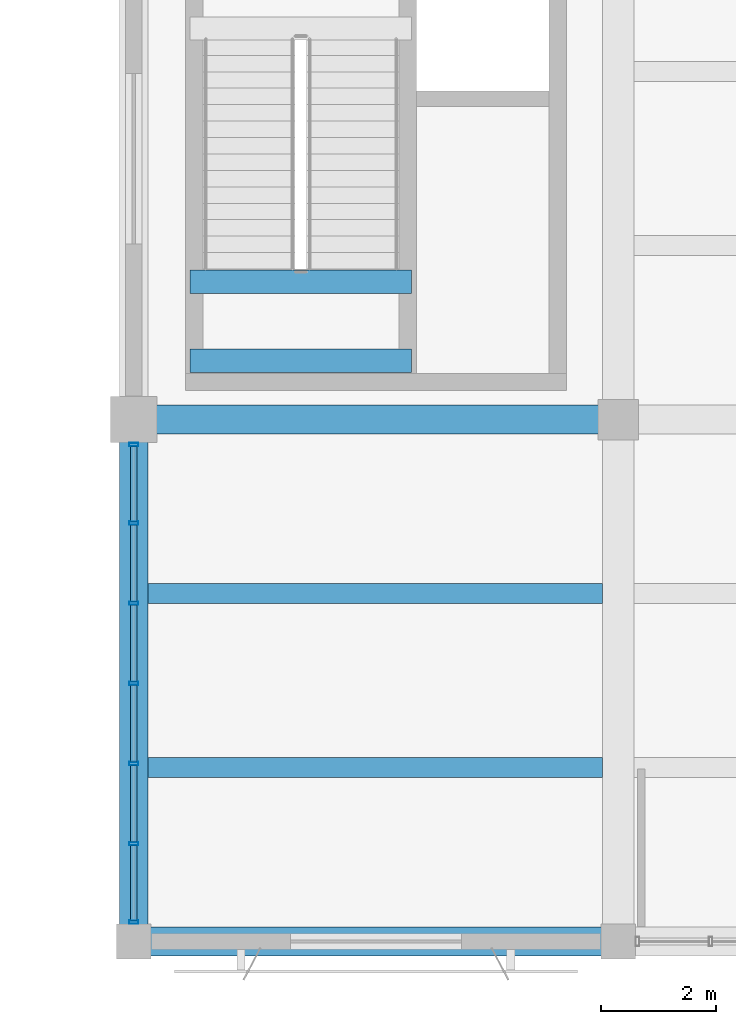
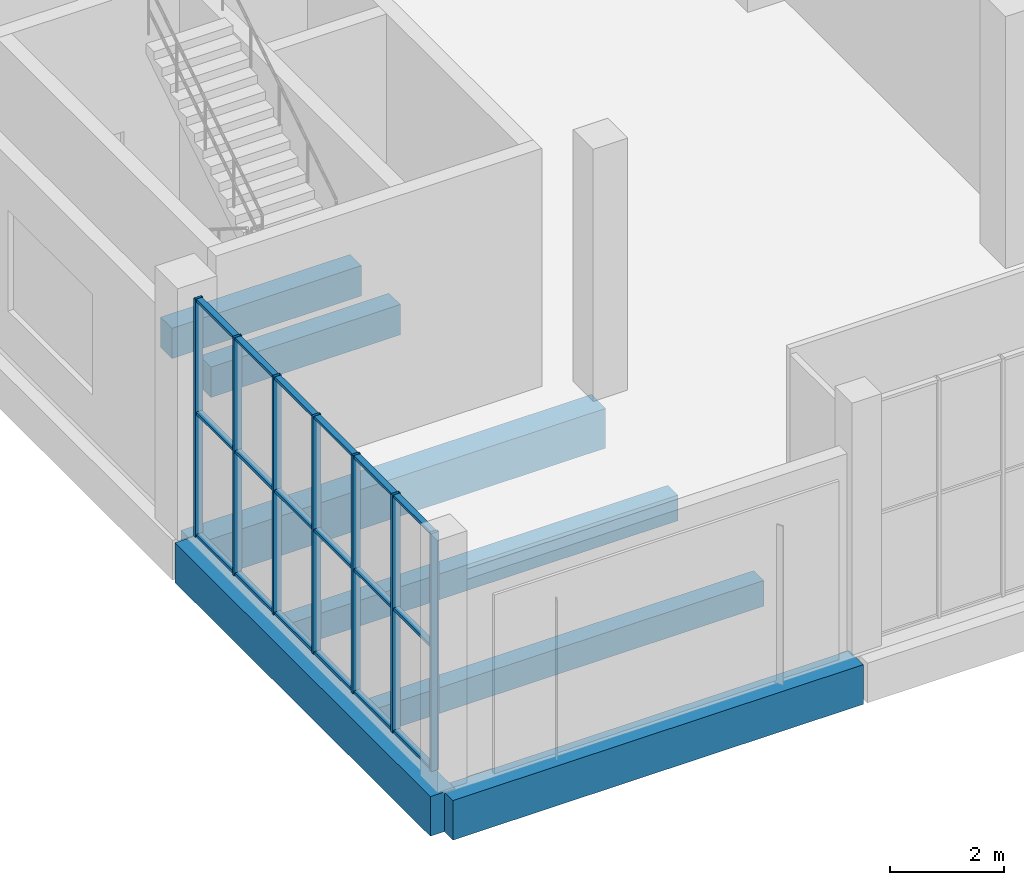
# One storey, part 2 of 132: 25 members, 7 beams, 1 element without a shape of its own.
"""IFC4 building model written with IfcOpenShell, lengths in metres."""

from ifc_helpers import new_model, si_unit, direction, frame, origin, origin_2d, place, context, subcontext, project, spatial, rectangle, hollow_rectangle, extrude, material, material_profile, profile_set, type_object, element, aggregate, save


model = new_model("IFC4")

# Units and contexts
model_context = context("Model", 3, precision=1e-05, world=origin(), true_north=direction((0.0, 1.0)))
body_context = subcontext(model_context, "Body", "Model", "MODEL_VIEW")
ifc_project = project(units=[si_unit("LENGTHUNIT", "METRE"), si_unit("AREAUNIT", "SQUARE_METRE"), si_unit("VOLUMEUNIT", "CUBIC_METRE"), si_unit("PLANEANGLEUNIT", "RADIAN"), si_unit("MASSUNIT", "GRAM", prefix="KILO")], contexts=[model_context])

# Site, building, storey
site_placement = place(None, origin())
site = spatial("IfcSite", under=ifc_project, at=site_placement, CompositionType="ELEMENT")
building_placement = place(site_placement, origin())
building = spatial("IfcBuilding", under=site, at=building_placement, Name="Khurvash Pelagic Aquarium", CompositionType="ELEMENT")
storey_placement = place(building_placement, frame((0.0, 0.0, 5.39990234375)))
storey = spatial("IfcBuildingStorey", under=building, at=storey_placement, Name="L01", CompositionType="ELEMENT", Elevation=5.39990234375)

# Beams
ifc_material_1 = material(Name="Concrete C40/50", Category="concrete")
ifc_material_profile_1 = material_profile(ifc_material_1, rectangle(XDim=0.5, YDim=0.85009765625, at=origin_2d()), Name="RC500X850")
ifc_profile_set_1 = profile_set([ifc_material_profile_1], Name="Concrete C40/50")
beam_type_1 = type_object("IfcBeamType", Name="BM-03", PredefinedType="BEAM", material=ifc_profile_set_1)
beam_1_placement = place(storey_placement, frame((25.239990234375, 11.64990234375, -0.744873046875), z_axis=(1.0, 0.0, 0.0), x_axis=(0.0, 1.0, 0.0)))
element("IfcBeam", 1, at=beam_1_placement, inside=storey, type_object=beam_type_1, Name="L01 Primary Girder BM-03 00251", PredefinedType="BEAM", context=body_context, shape_type="SweptSolid", body=[
    extrude(rectangle(XDim=0.5, YDim=0.85009765625, at=origin_2d()), origin(), (0.0, 0.0, 1.0), 8.320068359375),
])
ifc_material_2 = material(Name="Concrete C35/45", Category="concrete")
ifc_material_profile_2 = material_profile(ifc_material_2, rectangle(XDim=0.39990234375, YDim=0.64990234375, at=origin_2d()), Name="RC400X650")
ifc_profile_set_2 = profile_set([ifc_material_profile_2], Name="Concrete C35/45")
beam_type_2 = type_object("IfcBeamType", Name="BM-05", PredefinedType="BEAM", material=ifc_profile_set_2)
for number, where, z_axis, x_axis, name in (
    (2, (26.179931640625, 12.669921875, 2.175048828125), (1.0, 0.0, 0.0), (0.0, 1.0, 0.0), "L01 Stair ST-01 Mid-Landing Trimmer Beam BM-05"),
    (3, (26.179931640625, 14.0400390625, 2.175048828125), (1.0, 0.0, 0.0), (0.0, 1.0, 0.0), "L01 Stair ST-01 Mid-Landing Trimmer Beam BM-05"),
):
    element("IfcBeam", number, at=place(storey_placement, frame(where, z_axis=z_axis, x_axis=x_axis)), inside=storey, type_object=beam_type_2, Name=name, PredefinedType="BEAM", context=body_context, shape_type="SweptSolid", body=[
        extrude(rectangle(XDim=0.39990234375, YDim=0.64990234375, at=origin_2d()), origin(), (0.0, 0.0, 1.0), 3.840087890625),
    ])

# Curtain wall, members
ifc_material_3 = material(Name="Anodised aluminium and low-E laminated glass", Category="aluminium")
curtain_wall_type = type_object("IfcCurtainWallType", Name="CW-06", PredefinedType="USERDEFINED", material=ifc_material_3)
curtain_wall_placement = place(storey_placement, origin())
curtain_wall = element("IfcCurtainWall", 4, at=curtain_wall_placement, inside=storey, type_object=curtain_wall_type, Name="L01 Facade Unitised Curtain Wall CW-06 0101", ObjectType="UNITISED CURTAIN WALL", PredefinedType="USERDEFINED")
ifc_material_4 = material(Name="Extruded aluminium AW-6063-T6", Category="aluminium")
ifc_material_profile_3 = material_profile(ifc_material_4, hollow_rectangle(XDim=0.06005859375, YDim=0.159912109375, WallThickness=0.00390625, at=origin_2d()), Name="CWM60X160X4")
ifc_profile_set_3 = profile_set([ifc_material_profile_3], Name="Extruded aluminium AW-6063-T6")
member_type_1 = type_object("IfcMemberType", Name="CM-02", PredefinedType="MULLION", material=ifc_profile_set_3)
member_1_placement = place(storey_placement, frame((25.199951171875, 11.215087890625, 0.0), z_axis=(0.0, 0.0, 1.0), x_axis=(0.0, -1.0, 0.0)))
member_1 = element("IfcMember", 5, at=member_1_placement, type_object=member_type_1, Name="CW-06 mullion 1", PredefinedType="MULLION", context=body_context, shape_type="SweptSolid", body=[
    extrude(hollow_rectangle(XDim=0.06005859375, YDim=0.159912109375, WallThickness=0.00390625, at=origin_2d()), origin(), (0.0, 0.0, 1.0), 5.10009765625),
])
member_2_placement = place(storey_placement, frame((25.199951171875, 9.85498046875, 0.0), z_axis=(0.0, 0.0, 1.0), x_axis=(0.0, -1.0, 0.0)))
member_2 = element("IfcMember", 6, at=member_2_placement, type_object=member_type_1, Name="CW-06 mullion 2", PredefinedType="MULLION", context=body_context, shape_type="SweptSolid", body=[
    extrude(hollow_rectangle(XDim=0.06005859375, YDim=0.159912109375, WallThickness=0.00390625, at=origin_2d()), origin(), (0.0, 0.0, 1.0), 5.10009765625),
])
member_3_placement = place(storey_placement, frame((25.199951171875, 8.465087890625, 0.0), z_axis=(0.0, 0.0, 1.0), x_axis=(0.0, -1.0, 0.0)))
member_3 = element("IfcMember", 7, at=member_3_placement, type_object=member_type_1, Name="CW-06 mullion 3", PredefinedType="MULLION", context=body_context, shape_type="SweptSolid", body=[
    extrude(hollow_rectangle(XDim=0.06005859375, YDim=0.159912109375, WallThickness=0.00390625, at=origin_2d()), origin(), (0.0, 0.0, 1.0), 5.10009765625),
])
member_4_placement = place(storey_placement, frame((25.199951171875, 7.074951171875, 0.0), z_axis=(0.0, 0.0, 1.0), x_axis=(0.0, -1.0, 0.0)))
member_4 = element("IfcMember", 8, at=member_4_placement, type_object=member_type_1, Name="CW-06 mullion 4", PredefinedType="MULLION", context=body_context, shape_type="SweptSolid", body=[
    extrude(hollow_rectangle(XDim=0.06005859375, YDim=0.159912109375, WallThickness=0.00390625, at=origin_2d()), origin(), (0.0, 0.0, 1.0), 5.10009765625),
])
member_5_placement = place(storey_placement, frame((25.199951171875, 5.68505859375, 0.0), z_axis=(0.0, 0.0, 1.0), x_axis=(0.0, -1.0, 0.0)))
member_5 = element("IfcMember", 9, at=member_5_placement, type_object=member_type_1, Name="CW-06 mullion 5", PredefinedType="MULLION", context=body_context, shape_type="SweptSolid", body=[
    extrude(hollow_rectangle(XDim=0.06005859375, YDim=0.159912109375, WallThickness=0.00390625, at=origin_2d()), origin(), (0.0, 0.0, 1.0), 5.10009765625),
])
member_6_placement = place(storey_placement, frame((25.199951171875, 4.294921875, 0.0), z_axis=(0.0, 0.0, 1.0), x_axis=(0.0, -1.0, 0.0)))
member_6 = element("IfcMember", 10, at=member_6_placement, type_object=member_type_1, Name="CW-06 mullion 6", PredefinedType="MULLION", context=body_context, shape_type="SweptSolid", body=[
    extrude(hollow_rectangle(XDim=0.06005859375, YDim=0.159912109375, WallThickness=0.00390625, at=origin_2d()), origin(), (0.0, 0.0, 1.0), 5.10009765625),
])
member_7_placement = place(storey_placement, frame((25.199951171875, 2.93505859375, 0.0), z_axis=(0.0, 0.0, 1.0), x_axis=(0.0, -1.0, 0.0)))
member_7 = element("IfcMember", 11, at=member_7_placement, type_object=member_type_1, Name="CW-06 mullion 7", PredefinedType="MULLION", context=body_context, shape_type="SweptSolid", body=[
    extrude(hollow_rectangle(XDim=0.06005859375, YDim=0.159912109375, WallThickness=0.00390625, at=origin_2d()), origin(), (0.0, 0.0, 1.0), 5.10009765625),
])
ifc_material_profile_4 = material_profile(ifc_material_4, hollow_rectangle(XDim=0.1201171875, YDim=0.06005859375, WallThickness=0.00390625, at=origin_2d()), Name="CWT120X60X4")
ifc_profile_set_4 = profile_set([ifc_material_profile_4], Name="Extruded aluminium AW-6063-T6")
member_type_2 = type_object("IfcMemberType", Name="CT-02", PredefinedType="USERDEFINED", material=ifc_profile_set_4)
member_8_placement = place(storey_placement, frame((25.199951171875, 11.18505859375, 0.030029296875), z_axis=(0.0, -1.0, 0.0), x_axis=(1.0, 0.0, 0.0)))
member_8 = element("IfcMember", 12, at=member_8_placement, type_object=member_type_2, Name="CW-06 transom 1.1", ObjectType="TRANSOM", PredefinedType="USERDEFINED", context=body_context, shape_type="SweptSolid", body=[
    extrude(hollow_rectangle(XDim=0.1201171875, YDim=0.06005859375, WallThickness=0.00390625, at=origin_2d()), origin(), (0.0, 0.0, 1.0), 1.300048828125),
])
member_9_placement = place(storey_placement, frame((25.199951171875, 11.18505859375, 2.652099609375), z_axis=(0.0, -1.0, 0.0), x_axis=(1.0, 0.0, 0.0)))
member_9 = element("IfcMember", 13, at=member_9_placement, type_object=member_type_2, Name="CW-06 transom 1.2", ObjectType="TRANSOM", PredefinedType="USERDEFINED", context=body_context, shape_type="SweptSolid", body=[
    extrude(hollow_rectangle(XDim=0.1201171875, YDim=0.06005859375, WallThickness=0.00390625, at=origin_2d()), origin(), (0.0, 0.0, 1.0), 1.300048828125),
])
member_10_placement = place(storey_placement, frame((25.199951171875, 11.18505859375, 5.070068359375), z_axis=(0.0, -1.0, 0.0), x_axis=(1.0, 0.0, 0.0)))
member_10 = element("IfcMember", 14, at=member_10_placement, type_object=member_type_2, Name="CW-06 transom 1.3", ObjectType="TRANSOM", PredefinedType="USERDEFINED", context=body_context, shape_type="SweptSolid", body=[
    extrude(hollow_rectangle(XDim=0.1201171875, YDim=0.06005859375, WallThickness=0.00390625, at=origin_2d()), origin(), (0.0, 0.0, 1.0), 1.300048828125),
])
member_11_placement = place(storey_placement, frame((25.199951171875, 9.824951171875, 0.030029296875), z_axis=(0.0, -1.0, 0.0), x_axis=(1.0, 0.0, 0.0)))
member_11 = element("IfcMember", 15, at=member_11_placement, type_object=member_type_2, Name="CW-06 transom 2.1", ObjectType="TRANSOM", PredefinedType="USERDEFINED", context=body_context, shape_type="SweptSolid", body=[
    extrude(hollow_rectangle(XDim=0.1201171875, YDim=0.06005859375, WallThickness=0.00390625, at=origin_2d()), origin(), (0.0, 0.0, 1.0), 1.329833984375),
])
member_12_placement = place(storey_placement, frame((25.199951171875, 9.824951171875, 2.652099609375), z_axis=(0.0, -1.0, 0.0), x_axis=(1.0, 0.0, 0.0)))
member_12 = element("IfcMember", 16, at=member_12_placement, type_object=member_type_2, Name="CW-06 transom 2.2", ObjectType="TRANSOM", PredefinedType="USERDEFINED", context=body_context, shape_type="SweptSolid", body=[
    extrude(hollow_rectangle(XDim=0.1201171875, YDim=0.06005859375, WallThickness=0.00390625, at=origin_2d()), origin(), (0.0, 0.0, 1.0), 1.329833984375),
])
member_13_placement = place(storey_placement, frame((25.199951171875, 9.824951171875, 5.070068359375), z_axis=(0.0, -1.0, 0.0), x_axis=(1.0, 0.0, 0.0)))
member_13 = element("IfcMember", 17, at=member_13_placement, type_object=member_type_2, Name="CW-06 transom 2.3", ObjectType="TRANSOM", PredefinedType="USERDEFINED", context=body_context, shape_type="SweptSolid", body=[
    extrude(hollow_rectangle(XDim=0.1201171875, YDim=0.06005859375, WallThickness=0.00390625, at=origin_2d()), origin(), (0.0, 0.0, 1.0), 1.329833984375),
])
member_14_placement = place(storey_placement, frame((25.199951171875, 8.43505859375, 0.030029296875), z_axis=(0.0, -1.0, 0.0), x_axis=(1.0, 0.0, 0.0)))
member_14 = element("IfcMember", 18, at=member_14_placement, type_object=member_type_2, Name="CW-06 transom 3.1", ObjectType="TRANSOM", PredefinedType="USERDEFINED", context=body_context, shape_type="SweptSolid", body=[
    extrude(hollow_rectangle(XDim=0.1201171875, YDim=0.06005859375, WallThickness=0.00390625, at=origin_2d()), origin(), (0.0, 0.0, 1.0), 1.330078125),
])
member_15_placement = place(storey_placement, frame((25.199951171875, 8.43505859375, 2.652099609375), z_axis=(0.0, -1.0, 0.0), x_axis=(1.0, 0.0, 0.0)))
member_15 = element("IfcMember", 19, at=member_15_placement, type_object=member_type_2, Name="CW-06 transom 3.2", ObjectType="TRANSOM", PredefinedType="USERDEFINED", context=body_context, shape_type="SweptSolid", body=[
    extrude(hollow_rectangle(XDim=0.1201171875, YDim=0.06005859375, WallThickness=0.00390625, at=origin_2d()), origin(), (0.0, 0.0, 1.0), 1.330078125),
])
member_16_placement = place(storey_placement, frame((25.199951171875, 8.43505859375, 5.070068359375), z_axis=(0.0, -1.0, 0.0), x_axis=(1.0, 0.0, 0.0)))
member_16 = element("IfcMember", 20, at=member_16_placement, type_object=member_type_2, Name="CW-06 transom 3.3", ObjectType="TRANSOM", PredefinedType="USERDEFINED", context=body_context, shape_type="SweptSolid", body=[
    extrude(hollow_rectangle(XDim=0.1201171875, YDim=0.06005859375, WallThickness=0.00390625, at=origin_2d()), origin(), (0.0, 0.0, 1.0), 1.330078125),
])
member_17_placement = place(storey_placement, frame((25.199951171875, 7.044921875, 0.030029296875), z_axis=(0.0, -1.0, 0.0), x_axis=(1.0, 0.0, 0.0)))
member_17 = element("IfcMember", 21, at=member_17_placement, type_object=member_type_2, Name="CW-06 transom 4.1", ObjectType="TRANSOM", PredefinedType="USERDEFINED", context=body_context, shape_type="SweptSolid", body=[
    extrude(hollow_rectangle(XDim=0.1201171875, YDim=0.06005859375, WallThickness=0.00390625, at=origin_2d()), origin(), (0.0, 0.0, 1.0), 1.329833984375),
])
member_18_placement = place(storey_placement, frame((25.199951171875, 7.044921875, 2.652099609375), z_axis=(0.0, -1.0, 0.0), x_axis=(1.0, 0.0, 0.0)))
member_18 = element("IfcMember", 22, at=member_18_placement, type_object=member_type_2, Name="CW-06 transom 4.2", ObjectType="TRANSOM", PredefinedType="USERDEFINED", context=body_context, shape_type="SweptSolid", body=[
    extrude(hollow_rectangle(XDim=0.1201171875, YDim=0.06005859375, WallThickness=0.00390625, at=origin_2d()), origin(), (0.0, 0.0, 1.0), 1.329833984375),
])
member_19_placement = place(storey_placement, frame((25.199951171875, 7.044921875, 5.070068359375), z_axis=(0.0, -1.0, 0.0), x_axis=(1.0, 0.0, 0.0)))
member_19 = element("IfcMember", 23, at=member_19_placement, type_object=member_type_2, Name="CW-06 transom 4.3", ObjectType="TRANSOM", PredefinedType="USERDEFINED", context=body_context, shape_type="SweptSolid", body=[
    extrude(hollow_rectangle(XDim=0.1201171875, YDim=0.06005859375, WallThickness=0.00390625, at=origin_2d()), origin(), (0.0, 0.0, 1.0), 1.329833984375),
])
member_20_placement = place(storey_placement, frame((25.199951171875, 5.655029296875, 0.030029296875), z_axis=(0.0, -1.0, 0.0), x_axis=(1.0, 0.0, 0.0)))
member_20 = element("IfcMember", 24, at=member_20_placement, type_object=member_type_2, Name="CW-06 transom 5.1", ObjectType="TRANSOM", PredefinedType="USERDEFINED", context=body_context, shape_type="SweptSolid", body=[
    extrude(hollow_rectangle(XDim=0.1201171875, YDim=0.06005859375, WallThickness=0.00390625, at=origin_2d()), origin(), (0.0, 0.0, 1.0), 1.330078125),
])
member_21_placement = place(storey_placement, frame((25.199951171875, 5.655029296875, 2.652099609375), z_axis=(0.0, -1.0, 0.0), x_axis=(1.0, 0.0, 0.0)))
member_21 = element("IfcMember", 25, at=member_21_placement, type_object=member_type_2, Name="CW-06 transom 5.2", ObjectType="TRANSOM", PredefinedType="USERDEFINED", context=body_context, shape_type="SweptSolid", body=[
    extrude(hollow_rectangle(XDim=0.1201171875, YDim=0.06005859375, WallThickness=0.00390625, at=origin_2d()), origin(), (0.0, 0.0, 1.0), 1.330078125),
])
member_22_placement = place(storey_placement, frame((25.199951171875, 5.655029296875, 5.070068359375), z_axis=(0.0, -1.0, 0.0), x_axis=(1.0, 0.0, 0.0)))
member_22 = element("IfcMember", 26, at=member_22_placement, type_object=member_type_2, Name="CW-06 transom 5.3", ObjectType="TRANSOM", PredefinedType="USERDEFINED", context=body_context, shape_type="SweptSolid", body=[
    extrude(hollow_rectangle(XDim=0.1201171875, YDim=0.06005859375, WallThickness=0.00390625, at=origin_2d()), origin(), (0.0, 0.0, 1.0), 1.330078125),
])
member_23_placement = place(storey_placement, frame((25.199951171875, 4.264892578125, 0.030029296875), z_axis=(0.0, -1.0, 0.0), x_axis=(1.0, 0.0, 0.0)))
member_23 = element("IfcMember", 27, at=member_23_placement, type_object=member_type_2, Name="CW-06 transom 6.1", ObjectType="TRANSOM", PredefinedType="USERDEFINED", context=body_context, shape_type="SweptSolid", body=[
    extrude(hollow_rectangle(XDim=0.1201171875, YDim=0.06005859375, WallThickness=0.00390625, at=origin_2d()), origin(), (0.0, 0.0, 1.0), 1.2998046875),
])
member_24_placement = place(storey_placement, frame((25.199951171875, 4.264892578125, 2.652099609375), z_axis=(0.0, -1.0, 0.0), x_axis=(1.0, 0.0, 0.0)))
member_24 = element("IfcMember", 28, at=member_24_placement, type_object=member_type_2, Name="CW-06 transom 6.2", ObjectType="TRANSOM", PredefinedType="USERDEFINED", context=body_context, shape_type="SweptSolid", body=[
    extrude(hollow_rectangle(XDim=0.1201171875, YDim=0.06005859375, WallThickness=0.00390625, at=origin_2d()), origin(), (0.0, 0.0, 1.0), 1.2998046875),
])
member_25_placement = place(storey_placement, frame((25.199951171875, 4.264892578125, 5.070068359375), z_axis=(0.0, -1.0, 0.0), x_axis=(1.0, 0.0, 0.0)))
member_25 = element("IfcMember", 29, at=member_25_placement, type_object=member_type_2, Name="CW-06 transom 6.3", ObjectType="TRANSOM", PredefinedType="USERDEFINED", context=body_context, shape_type="SweptSolid", body=[
    extrude(hollow_rectangle(XDim=0.1201171875, YDim=0.06005859375, WallThickness=0.00390625, at=origin_2d()), origin(), (0.0, 0.0, 1.0), 1.2998046875),
])
aggregate(curtain_wall, [member_1, member_2, member_3, member_4, member_5, member_6, member_7, member_8, member_9, member_10, member_11, member_12, member_13, member_14, member_15, member_16, member_17, member_18, member_19, member_20, member_21, member_22, member_23, member_24, member_25])

# Beams
ifc_material_profile_5 = material_profile(ifc_material_2, rectangle(XDim=0.35009765625, YDim=0.550048828125, at=origin_2d()), Name="RC350X550")
ifc_profile_set_5 = profile_set([ifc_material_profile_5], Name="Concrete C35/45")
beam_type_3 = type_object("IfcBeamType", Name="JS-01", PredefinedType="JOIST", material=ifc_profile_set_5)
for number, where, z_axis, x_axis, name in (
    (30, (25.449951171875, 5.616943359375, -0.5849609375), (1.0, 0.0, 0.0), (0.0, 1.0, 0.0), "L01 Floor Joist JS-01 00458"),
    (31, (25.449951171875, 8.633056640625, -0.5849609375), (1.0, 0.0, 0.0), (0.0, 1.0, 0.0), "L01 Floor Joist JS-01 00459"),
):
    element("IfcBeam", number, at=place(storey_placement, frame(where, z_axis=z_axis, x_axis=x_axis)), inside=storey, type_object=beam_type_3, Name=name, PredefinedType="JOIST", context=body_context, shape_type="SweptSolid", body=[
        extrude(rectangle(XDim=0.35009765625, YDim=0.550048828125, at=origin_2d()), origin(), (0.0, 0.0, 1.0), 7.875),
    ])
ifc_material_profile_6 = material_profile(ifc_material_1, rectangle(XDim=0.5, YDim=0.85009765625, at=origin_2d()), Name="RC500X850")
ifc_profile_set_6 = profile_set([ifc_material_profile_6], Name="Concrete C40/50")
beam_type_4 = type_object("IfcBeamType", Name="SEB-03", PredefinedType="SPANDREL", material=ifc_profile_set_6)
beam_2_placement = place(storey_placement, frame((25.239990234375, 2.60009765625, -0.744873046875), z_axis=(1.0, 0.0, 0.0), x_axis=(0.0, 1.0, 0.0)))
element("IfcBeam", 32, at=beam_2_placement, inside=storey, type_object=beam_type_4, Name="L01 Primary Girder SEB-03 00241", PredefinedType="SPANDREL", context=body_context, shape_type="SweptSolid", body=[
    extrude(rectangle(XDim=0.5, YDim=0.85009765625, at=origin_2d()), origin(), (0.0, 0.0, 1.0), 8.320068359375),
])
beam_3_placement = place(storey_placement, frame((25.199951171875, 2.639892578125, -0.73486328125), z_axis=(0.0, 1.0, 0.0), x_axis=(-1.0, 0.0, 0.0)))
element("IfcBeam", 33, at=beam_3_placement, inside=storey, type_object=beam_type_4, Name="L01 Primary Girder SEB-03 00359", PredefinedType="SPANDREL", context=body_context, shape_type="SweptSolid", body=[
    extrude(rectangle(XDim=0.5, YDim=0.85009765625, at=origin_2d()), origin(), (0.0, 0.0, 1.0), 8.97021484375),
])

save(model, "model.ifc")
